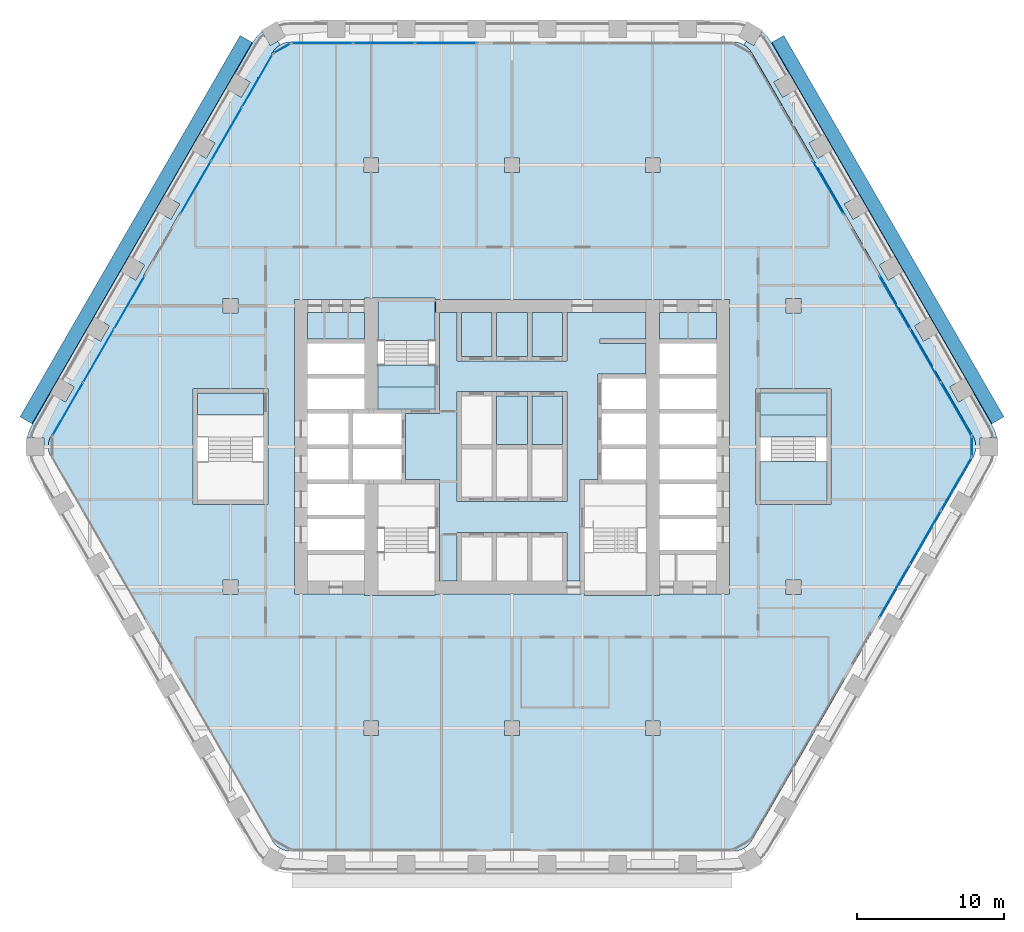
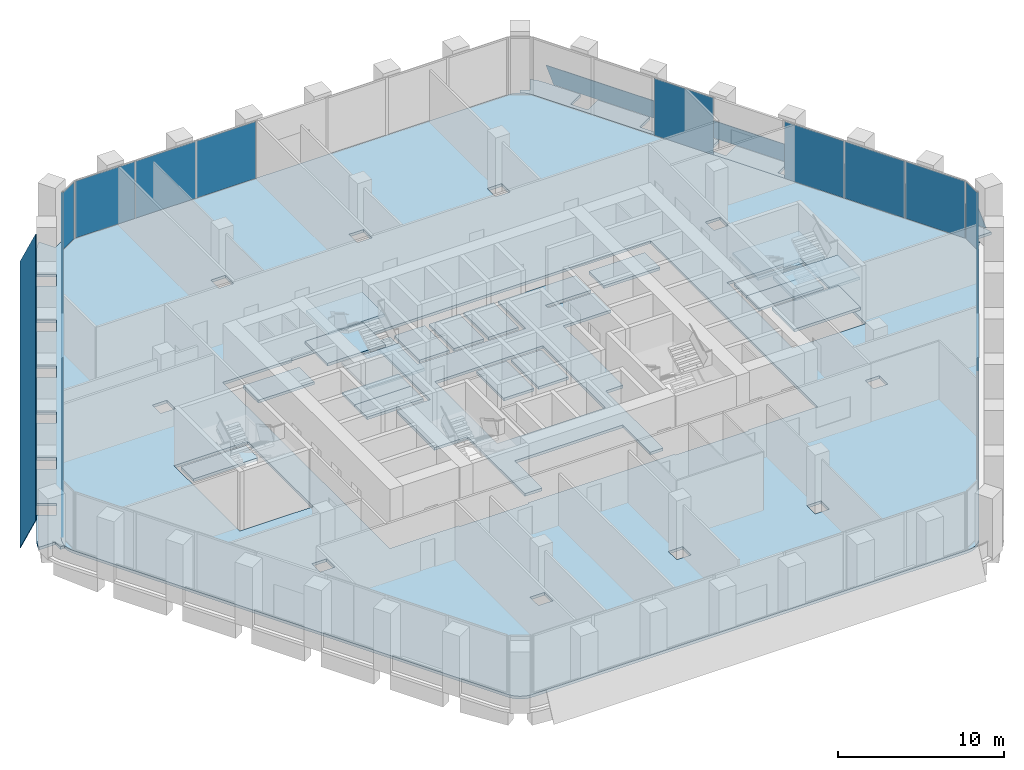
# One storey, part 11 of 22: 22 slabs, 20 plates, 10 elements without a shape of their own.
"""IFC4 building model written with IfcOpenShell, lengths in metres."""

from ifc_helpers import new_model, si_unit, direction, frame, origin, origin_2d, place, context, subcontext, project, spatial, polyline, rectangle, outline, extrude, material, layer, layer_set, type_object, element, aggregate, save


model = new_model("IFC4")

# Units and contexts
model_context = context("Model", 3, precision=1e-05, world=origin(), true_north=direction((0.0, 1.0)))
body_context = subcontext(model_context, "Body", "Model", "MODEL_VIEW")
ifc_project = project(units=[si_unit("LENGTHUNIT", "METRE"), si_unit("AREAUNIT", "SQUARE_METRE"), si_unit("VOLUMEUNIT", "CUBIC_METRE"), si_unit("PLANEANGLEUNIT", "RADIAN"), si_unit("MASSUNIT", "GRAM", prefix="KILO")], contexts=[model_context])

# Site, building, storey
site_placement = place(None, origin())
site = spatial("IfcSite", under=ifc_project, at=site_placement, CompositionType="ELEMENT")
building_placement = place(site_placement, origin())
building = spatial("IfcBuilding", under=site, at=building_placement, Name="Kolab Exchange Tower", CompositionType="ELEMENT")
storey_placement = place(building_placement, frame((0.0, 0.0, 82.39990234375)))
storey = spatial("IfcBuildingStorey", under=building, at=storey_placement, Name="L15", CompositionType="ELEMENT", Elevation=82.39990234375)

# Slabs
ifc_material_1 = material(Name="Concrete C35/45", Category="concrete")
ifc_layer_1 = layer(ifc_material_1, 0.199951171875)
ifc_layer_set_1 = layer_set([ifc_layer_1], Name="Concrete C35/45")
slab_type_1 = type_object("IfcSlabType", Name="FLOOR SLAB 200", PredefinedType="FLOOR", material=ifc_layer_set_1)
slab_1_placement = place(storey_placement, frame((0.0, 0.0, -0.199951171875)))
element("IfcSlab", 1, at=slab_1_placement, inside=storey, type_object=slab_type_1, Name="slab/L15/floor/0", PredefinedType="FLOOR", context=body_context, shape_type="SweptSolid", body=[
    extrude(outline(polyline([(16.366943359375, -26.848388671875), (31.434814453125, -0.75), (31.54541015625, -0.512939453125), (31.613037109375, -0.260498046875), (31.635986328125, 0.0), (31.613037109375, 0.260498046875), (31.54541015625, 0.512939453125), (31.434814453125, 0.75), (16.366943359375, 26.848388671875), (16.217041015625, 27.062744140625), (16.0322265625, 27.24755859375), (15.81787109375, 27.3974609375), (15.5810546875, 27.508056640625), (15.328369140625, 27.57568359375), (15.06787109375, 27.598388671875), (-15.06787109375, 27.598388671875), (-15.328369140625, 27.57568359375), (-15.5810546875, 27.508056640625), (-15.81787109375, 27.3974609375), (-16.0322265625, 27.24755859375), (-16.217041015625, 27.062744140625), (-16.366943359375, 26.848388671875), (-31.434814453125, 0.75), (-31.54541015625, 0.512939453125), (-31.613037109375, 0.260498046875), (-31.635986328125, 0.0), (-31.613037109375, -0.260498046875), (-31.54541015625, -0.512939453125), (-31.434814453125, -0.75), (-16.366943359375, -26.848388671875), (-16.217041015625, -27.062744140625), (-16.0322265625, -27.24755859375), (-15.81787109375, -27.3974609375), (-15.5810546875, -27.508056640625), (-15.328369140625, -27.57568359375), (-15.06787109375, -27.598388671875), (15.06787109375, -27.598388671875), (15.328369140625, -27.57568359375), (15.5810546875, -27.508056640625), (15.81787109375, -27.3974609375), (16.0322265625, -27.24755859375), (16.217041015625, -27.062744140625), (16.366943359375, -26.848388671875)]), holes=[polyline([(-13.949951171875, -10.050048828125), (-14.85009765625, -10.050048828125), (-14.85009765625, 10.050048828125), (-13.949951171875, 10.050048828125), (-10.050048828125, 10.050048828125), (-10.050048828125, 10.14990234375), (-9.14990234375, 10.14990234375), (-5.25, 10.14990234375), (-5.25, 10.050048828125), (9.14990234375, 10.050048828125), (10.050048828125, 10.050048828125), (13.949951171875, 10.050048828125), (14.85009765625, 10.050048828125), (14.85009765625, -10.050048828125), (13.949951171875, -10.050048828125), (10.050048828125, -10.050048828125), (10.050048828125, -10.14990234375), (9.14990234375, -10.14990234375), (4.949951171875, -10.14990234375), (4.949951171875, -10.050048828125), (-5.25, -10.050048828125), (-5.25, -10.14990234375), (-9.14990234375, -10.14990234375), (-10.050048828125, -10.14990234375), (-10.050048828125, -10.050048828125), (-13.949951171875, -10.050048828125)]), polyline([(-18.699951171875, -9.10009765625), (-18.699951171875, -10.10009765625), (-19.699951171875, -10.10009765625), (-19.699951171875, -9.10009765625), (-18.699951171875, -9.10009765625)]), polyline([(-21.449951171875, -3.949951171875), (-21.75, -3.949951171875), (-21.75, 3.949951171875), (-21.449951171875, 3.949951171875), (-16.949951171875, 3.949951171875), (-16.64990234375, 3.949951171875), (-16.64990234375, -3.949951171875), (-16.949951171875, -3.949951171875), (-21.449951171875, -3.949951171875)]), polyline([(-18.699951171875, 10.10009765625), (-18.699951171875, 9.10009765625), (-19.699951171875, 9.10009765625), (-19.699951171875, 10.10009765625), (-18.699951171875, 10.10009765625)]), polyline([(-9.10009765625, -18.699951171875), (-9.10009765625, -19.699951171875), (-10.10009765625, -19.699951171875), (-10.10009765625, -18.699951171875), (-9.10009765625, -18.699951171875)]), polyline([(-9.10009765625, 19.699951171875), (-9.10009765625, 18.699951171875), (-10.10009765625, 18.699951171875), (-10.10009765625, 19.699951171875), (-9.10009765625, 19.699951171875)]), polyline([(9.10009765625, -18.699951171875), (10.10009765625, -18.699951171875), (10.10009765625, -19.699951171875), (9.10009765625, -19.699951171875), (9.10009765625, -18.699951171875)]), polyline([(-0.5, -18.699951171875), (0.5, -18.699951171875), (0.5, -19.699951171875), (-0.5, -19.699951171875), (-0.5, -18.699951171875)]), polyline([(0.5, 19.699951171875), (0.5, 18.699951171875), (-0.5, 18.699951171875), (-0.5, 19.699951171875), (0.5, 19.699951171875)]), polyline([(10.10009765625, 19.699951171875), (10.10009765625, 18.699951171875), (9.10009765625, 18.699951171875), (9.10009765625, 19.699951171875), (10.10009765625, 19.699951171875)]), polyline([(19.699951171875, -9.10009765625), (19.699951171875, -10.10009765625), (18.699951171875, -10.10009765625), (18.699951171875, -9.10009765625), (19.699951171875, -9.10009765625)]), polyline([(21.449951171875, 3.949951171875), (21.75, 3.949951171875), (21.75, -3.949951171875), (21.449951171875, -3.949951171875), (16.949951171875, -3.949951171875), (16.64990234375, -3.949951171875), (16.64990234375, 3.949951171875), (16.949951171875, 3.949951171875), (21.449951171875, 3.949951171875)]), polyline([(19.699951171875, 10.10009765625), (19.699951171875, 9.10009765625), (18.699951171875, 9.10009765625), (18.699951171875, 10.10009765625), (19.699951171875, 10.10009765625)])]), origin(), (0.0, 0.0, 1.0), 0.199951171875),
])
slab_2_placement = place(storey_placement, frame((0.0, 0.0, -0.199951171875)))
element("IfcSlab", 2, at=slab_2_placement, inside=storey, type_object=slab_type_1, Name="slab/L15/floor/1", PredefinedType="FLOOR", context=body_context, shape_type="SweptSolid", body=[
    extrude(outline(polyline([(-4.949951171875, 9.14990234375), (-4.949951171875, 2.25), (-5.25, 2.25), (-7.25, 2.25), (-7.25, -2.25), (-5.25, -2.25), (-4.949951171875, -2.25), (-4.949951171875, -9.14990234375), (-3.75, -9.14990234375), (-3.75, -5.85009765625), (-3.449951171875, -5.85009765625), (-1.35009765625, -5.85009765625), (-1.050048828125, -5.85009765625), (1.050048828125, -5.85009765625), (1.35009765625, -5.85009765625), (3.449951171875, -5.85009765625), (3.75, -5.85009765625), (3.75, -9.14990234375), (4.64990234375, -9.14990234375), (4.64990234375, -2.25), (4.949951171875, -2.25), (5.85009765625, -2.25), (5.85009765625, 4.949951171875), (6.14990234375, 4.949951171875), (9.14990234375, 4.949951171875), (9.14990234375, 7.050048828125), (6.0, 7.050048828125), (6.0, 7.35009765625), (9.14990234375, 7.35009765625), (9.14990234375, 9.14990234375), (3.75, 9.14990234375), (3.75, 5.85009765625), (3.449951171875, 5.85009765625), (1.35009765625, 5.85009765625), (1.050048828125, 5.85009765625), (-1.050048828125, 5.85009765625), (-1.35009765625, 5.85009765625), (-3.449951171875, 5.85009765625), (-3.75, 5.85009765625), (-3.75, 9.14990234375), (-4.949951171875, 9.14990234375)]), holes=[polyline([(-3.75, -3.75), (-3.75, 3.75), (-3.449951171875, 3.75), (-1.35009765625, 3.75), (-1.050048828125, 3.75), (1.050048828125, 3.75), (1.35009765625, 3.75), (3.449951171875, 3.75), (3.75, 3.75), (3.75, -3.75), (3.449951171875, -3.75), (1.35009765625, -3.75), (1.050048828125, -3.75), (-1.050048828125, -3.75), (-1.35009765625, -3.75), (-3.449951171875, -3.75), (-3.75, -3.75)])]), origin(), (0.0, 0.0, 1.0), 0.199951171875),
])
slab_3_placement = place(storey_placement, frame((0.0, 0.0, -0.199951171875)))
element("IfcSlab", 3, at=slab_3_placement, inside=storey, type_object=slab_type_1, Name="slab/L15/floor/3", PredefinedType="FLOOR", context=body_context, shape_type="SweptSolid", body=[
    extrude(outline(polyline([(-10.050048828125, 9.14990234375), (-13.949951171875, 9.14990234375), (-13.949951171875, 7.35009765625), (-10.050048828125, 7.35009765625), (-10.050048828125, 9.14990234375)])), origin(), (0.0, 0.0, 1.0), 0.199951171875),
])
slab_4_placement = place(storey_placement, frame((0.0, 0.0, -0.199951171875)))
element("IfcSlab", 4, at=slab_4_placement, inside=storey, type_object=slab_type_1, Name="slab/L15/floor/5", PredefinedType="FLOOR", context=body_context, shape_type="SweptSolid", body=[
    extrude(outline(polyline([(13.949951171875, 9.14990234375), (10.050048828125, 9.14990234375), (10.050048828125, 7.35009765625), (13.949951171875, 7.35009765625), (13.949951171875, 9.14990234375)])), origin(), (0.0, 0.0, 1.0), 0.199951171875),
])
slab_5_placement = place(storey_placement, frame((0.0, 0.0, -0.199951171875)))
element("IfcSlab", 5, at=slab_5_placement, inside=storey, type_object=slab_type_1, Name="slab/L15/floor/9", PredefinedType="FLOOR", context=body_context, shape_type="SweptSolid", body=[
    extrude(outline(polyline([(-1.050048828125, 3.449951171875), (-1.050048828125, 0.14990234375), (1.050048828125, 0.14990234375), (1.050048828125, 3.449951171875), (-1.050048828125, 3.449951171875)])), origin(), (0.0, 0.0, 1.0), 0.199951171875),
])
slab_6_placement = place(storey_placement, frame((0.0, 0.0, -0.199951171875)))
element("IfcSlab", 6, at=slab_6_placement, inside=storey, type_object=slab_type_1, Name="slab/L15/floor/11", PredefinedType="FLOOR", context=body_context, shape_type="SweptSolid", body=[
    extrude(outline(polyline([(1.35009765625, 0.14990234375), (3.449951171875, 0.14990234375), (3.449951171875, 3.449951171875), (1.35009765625, 3.449951171875), (1.35009765625, 0.14990234375)])), origin(), (0.0, 0.0, 1.0), 0.199951171875),
])
slab_7_placement = place(storey_placement, frame((0.0, 0.0, -0.199951171875)))
element("IfcSlab", 7, at=slab_7_placement, inside=storey, type_object=slab_type_1, Name="slab/L15/floor/12", PredefinedType="FLOOR", context=body_context, shape_type="SweptSolid", body=[
    extrude(outline(polyline([(-21.449951171875, 3.64990234375), (-21.449951171875, 2.14990234375), (-16.949951171875, 2.14990234375), (-16.949951171875, 3.64990234375), (-21.449951171875, 3.64990234375)])), origin(), (0.0, 0.0, 1.0), 0.199951171875),
])
slab_8_placement = place(storey_placement, frame((0.0, 0.0, -0.199951171875)))
element("IfcSlab", 8, at=slab_8_placement, inside=storey, type_object=slab_type_1, Name="slab/L15/floor/13", PredefinedType="FLOOR", context=body_context, shape_type="SweptSolid", body=[
    extrude(outline(polyline([(21.449951171875, 3.64990234375), (16.949951171875, 3.64990234375), (16.949951171875, 2.14990234375), (21.449951171875, 2.14990234375), (21.449951171875, 3.64990234375)])), origin(), (0.0, 0.0, 1.0), 0.199951171875),
])
slab_9_placement = place(storey_placement, frame((0.0, 0.0, -0.199951171875)))
element("IfcSlab", 9, at=slab_9_placement, inside=storey, type_object=slab_type_1, Name="slab/L15/floor/15", PredefinedType="FLOOR", context=body_context, shape_type="SweptSolid", body=[
    extrude(outline(polyline([(-1.35009765625, 6.14990234375), (-1.35009765625, 9.14990234375), (-3.449951171875, 9.14990234375), (-3.449951171875, 6.14990234375), (-1.35009765625, 6.14990234375)])), origin(), (0.0, 0.0, 1.0), 0.199951171875),
])
slab_10_placement = place(storey_placement, frame((0.0, 0.0, -0.199951171875)))
element("IfcSlab", 10, at=slab_10_placement, inside=storey, type_object=slab_type_1, Name="slab/L15/floor/17", PredefinedType="FLOOR", context=body_context, shape_type="SweptSolid", body=[
    extrude(outline(polyline([(-1.050048828125, 9.14990234375), (-1.050048828125, 6.14990234375), (1.050048828125, 6.14990234375), (1.050048828125, 9.14990234375), (-1.050048828125, 9.14990234375)])), origin(), (0.0, 0.0, 1.0), 0.199951171875),
])
slab_11_placement = place(storey_placement, frame((0.0, 0.0, -0.199951171875)))
element("IfcSlab", 11, at=slab_11_placement, inside=storey, type_object=slab_type_1, Name="slab/L15/floor/19", PredefinedType="FLOOR", context=body_context, shape_type="SweptSolid", body=[
    extrude(outline(polyline([(1.35009765625, 6.14990234375), (3.449951171875, 6.14990234375), (3.449951171875, 9.14990234375), (1.35009765625, 9.14990234375), (1.35009765625, 6.14990234375)])), origin(), (0.0, 0.0, 1.0), 0.199951171875),
])
slab_12_placement = place(storey_placement, frame((0.0, 0.0, -0.199951171875)))
element("IfcSlab", 12, at=slab_12_placement, inside=storey, type_object=slab_type_1, Name="slab/L15/floor/22", PredefinedType="FLOOR", context=body_context, shape_type="SweptSolid", body=[
    extrude(outline(polyline([(-5.25, 4.050048828125), (-9.14990234375, 4.050048828125), (-9.14990234375, 2.550048828125), (-7.550048828125, 2.550048828125), (-7.25, 2.550048828125), (-5.25, 2.550048828125), (-5.25, 4.050048828125)])), origin(), (0.0, 0.0, 1.0), 0.199951171875),
])
ifc_layer_2 = layer(ifc_material_1, 0.199951171875)
ifc_layer_set_2 = layer_set([ifc_layer_2], Name="Concrete C35/45")
slab_type_2 = type_object("IfcSlabType", Name="LOGGIA SLAB 200", PredefinedType="FLOOR", material=ifc_layer_set_2)
slab_13_placement = place(storey_placement, frame((0.0, 0.0, -0.199951171875)))
element("IfcSlab", 13, at=slab_13_placement, inside=storey, type_object=slab_type_2, Name="slab/L15/loggia/1-0", PredefinedType="FLOOR", context=body_context, shape_type="SweptSolid", body=[
    extrude(outline(polyline([(31.635986328125, 0.0), (31.935791015625, 0.0), (31.935791015625, 0.60009765625), (33.069091796875, 0.60009765625), (32.955078125, 1.026123046875), (32.73388671875, 1.5), (31.5, 3.63720703125), (30.460693359375, 3.037353515625), (29.86083984375, 4.076416015625), (30.89990234375, 4.676513671875), (29.10009765625, 7.794189453125), (28.060791015625, 7.1943359375), (27.460693359375, 8.2333984375), (28.5, 8.83349609375), (26.699951171875, 11.951171875), (25.660888671875, 11.35107421875), (25.060791015625, 12.390380859375), (26.10009765625, 12.990478515625), (24.300048828125, 16.108154296875), (23.2607421875, 15.508056640625), (22.660888671875, 16.54736328125), (23.699951171875, 17.147216796875), (21.89990234375, 20.264892578125), (20.86083984375, 19.6650390625), (20.2607421875, 20.704345703125), (21.300048828125, 21.30419921875), (19.5, 24.421875), (18.460693359375, 23.822021484375), (17.86083984375, 24.861083984375), (18.89990234375, 25.461181640625), (17.666015625, 27.598388671875), (17.365966796875, 28.02685546875), (17.05419921875, 28.338623046875), (16.487548828125, 27.357177734375), (15.968017578125, 27.6572265625), (15.81787109375, 27.3974609375), (16.0322265625, 27.24755859375), (16.217041015625, 27.062744140625), (16.366943359375, 26.848388671875), (31.434814453125, 0.75), (31.54541015625, 0.512939453125), (31.613037109375, 0.260498046875), (31.635986328125, 0.0)])), origin(), (0.0, 0.0, 1.0), 0.199951171875),
])
slab_14_placement = place(storey_placement, frame((0.0, 0.0, -0.199951171875)))
element("IfcSlab", 14, at=slab_14_placement, inside=storey, type_object=slab_type_2, Name="slab/L15/loggia/5-0", PredefinedType="FLOOR", context=body_context, shape_type="SweptSolid", body=[
    extrude(outline(polyline([(-15.81787109375, 27.3974609375), (-15.968017578125, 27.6572265625), (-16.487548828125, 27.357177734375), (-17.05419921875, 28.338623046875), (-17.365966796875, 28.02685546875), (-17.666015625, 27.598388671875), (-18.89990234375, 25.461181640625), (-17.86083984375, 24.861083984375), (-18.460693359375, 23.822021484375), (-19.5, 24.421875), (-21.300048828125, 21.30419921875), (-20.2607421875, 20.704345703125), (-20.86083984375, 19.6650390625), (-21.89990234375, 20.264892578125), (-23.699951171875, 17.147216796875), (-22.660888671875, 16.54736328125), (-23.2607421875, 15.508056640625), (-24.300048828125, 16.108154296875), (-26.10009765625, 12.990478515625), (-25.060791015625, 12.390380859375), (-25.660888671875, 11.35107421875), (-26.699951171875, 11.951171875), (-28.5, 8.83349609375), (-27.460693359375, 8.2333984375), (-28.060791015625, 7.1943359375), (-29.10009765625, 7.794189453125), (-30.89990234375, 4.676513671875), (-29.86083984375, 4.076416015625), (-30.460693359375, 3.037353515625), (-31.5, 3.63720703125), (-32.73388671875, 1.5), (-32.955078125, 1.026123046875), (-33.069091796875, 0.60009765625), (-31.935791015625, 0.60009765625), (-31.935791015625, 0.0), (-31.635986328125, 0.0), (-31.613037109375, 0.260498046875), (-31.54541015625, 0.512939453125), (-31.434814453125, 0.75), (-16.366943359375, 26.848388671875), (-16.217041015625, 27.062744140625), (-16.0322265625, 27.24755859375), (-15.81787109375, 27.3974609375)])), origin(), (0.0, 0.0, 1.0), 0.199951171875),
])

# Plates
ifc_material_2 = material(Name="Laminated glass, clear", Category="glass")
ifc_layer_3 = layer(ifc_material_2, 0.0400390625)
ifc_layer_set_3 = layer_set([ifc_layer_3], Name="Laminated glass, clear")
plate_type_1 = type_object("IfcPlateType", Name="OUTER SKIN LAMINATED GLASS SHEET 40", PredefinedType="SHEET", material=ifc_layer_set_3)
plate_1_placement = place(storey_placement, frame((18.540283203125, 28.04541015625, -0.73291015625), z_axis=(0.78488749746, 0.453155039209, 0.422613448403), x_axis=(0.499999167166, -0.866025884618, 2.126414e-06)))
element("IfcPlate", 15, at=plate_1_placement, inside=storey, type_object=plate_type_1, Name="Outer skin", PredefinedType="SHEET", context=body_context, shape_type="SweptSolid", body=[
    extrude(outline(polyline([(0.0, 0.0), (30.035931798469555, 0.0), (30.035821559359643, -2.2341565300489714), (-2.087711834573829e-05, -2.2342974723957343), (0.0, 0.0)])), origin(), (0.0, 0.0, -1.0), 0.0400390625),
])
plate_2_placement = place(storey_placement, frame((-33.55810546875, 2.033447265625, -0.73291015625), z_axis=(-0.78488749746, 0.453155039209, 0.422613448403), x_axis=(0.499999167166, 0.866025884618, -2.126414e-06)))
element("IfcPlate", 16, at=plate_2_placement, inside=storey, type_object=plate_type_1, Name="Outer skin", PredefinedType="SHEET", context=body_context, shape_type="SweptSolid", body=[
    extrude(outline(polyline([(0.0, 0.0), (30.035931798469555, 0.0), (30.035952675587897, -2.234297472395734), (0.00011023910991124468, -2.234156530048972), (0.0, 0.0)])), origin(), (0.0, 0.0, -1.0), 0.0400390625),
])

# Stair, slabs
ifc_material_3 = material(Name="Concrete C50/60", Category="concrete")
stair_type_1 = type_object("IfcStairType", Name="STAIR ST1 RISER 160.7", PredefinedType="DOUBLE_RETURN_STAIR", material=ifc_material_3)
stair_1_placement = place(storey_placement, origin())
stair_1 = element("IfcStair", 17, at=stair_1_placement, inside=storey, type_object=stair_type_1, Name="Stair 1", PredefinedType="DOUBLE_RETURN_STAIR")
ifc_layer_4 = layer(ifc_material_3, 0.199951171875)
ifc_layer_set_4 = layer_set([ifc_layer_4], Name="Concrete C50/60")
slab_type_3 = type_object("IfcSlabType", Name="STAIR LANDING 200", PredefinedType="LANDING", material=ifc_layer_set_4)
slab_15_placement = place(storey_placement, frame((0.0, 0.0, -0.199951171875)))
slab_15 = element("IfcSlab", 18, at=slab_15_placement, type_object=slab_type_3, Name="ST1 landing 1", PredefinedType="LANDING", context=body_context, shape_type="SweptSolid", body=[
    extrude(outline(polyline([(-9.14990234375, 4.050048828125), (-5.25, 4.050048828125), (-5.25, 5.550048828125), (-9.14990234375, 5.550048828125), (-9.14990234375, 4.050048828125)])), origin(), (0.0, 0.0, 1.0), 0.199951171875),
])
slab_16_placement = place(storey_placement, frame((0.0, 0.0, 0.925048828125)))
slab_16 = element("IfcSlab", 19, at=slab_16_placement, type_object=slab_type_3, Name="ST1 landing 2", PredefinedType="LANDING", context=body_context, shape_type="SweptSolid", body=[
    extrude(outline(polyline([(-9.2099609375, 7.22998046875), (-5.18994140625, 7.22998046875), (-5.18994140625, 9.909912109375), (-9.2099609375, 9.909912109375), (-9.2099609375, 7.22998046875)])), origin(), (0.0, 0.0, 1.0), 0.199951171875),
])
slab_17_placement = place(storey_placement, frame((0.0, 0.0, 2.050048828125)))
slab_17 = element("IfcSlab", 20, at=slab_17_placement, type_object=slab_type_3, Name="ST1 landing 3", PredefinedType="LANDING", context=body_context, shape_type="SweptSolid", body=[
    extrude(outline(polyline([(-9.2099609375, 2.489990234375), (-5.18994140625, 2.489990234375), (-5.18994140625, 5.550048828125), (-9.2099609375, 5.550048828125), (-9.2099609375, 2.489990234375)])), origin(), (0.0, 0.0, 1.0), 0.199951171875),
])
slab_18_placement = place(storey_placement, frame((0.0, 0.0, 3.175048828125)))
slab_18 = element("IfcSlab", 21, at=slab_18_placement, type_object=slab_type_3, Name="ST1 landing 4", PredefinedType="LANDING", context=body_context, shape_type="SweptSolid", body=[
    extrude(outline(polyline([(-9.14990234375, 7.22998046875), (-5.25, 7.22998046875), (-5.25, 9.909912109375), (-9.14990234375, 9.909912109375), (-9.14990234375, 7.22998046875)])), origin(), (0.0, 0.0, 1.0), 0.199951171875),
])
aggregate(stair_1, [slab_15, slab_16, slab_17, slab_18])

stair_type_2 = type_object("IfcStairType", Name="STAIR ST4 RISER 160.7", PredefinedType="DOUBLE_RETURN_STAIR", material=ifc_material_3)
stair_2_placement = place(storey_placement, origin())
stair_2 = element("IfcStair", 22, at=stair_2_placement, inside=storey, type_object=stair_type_2, Name="Stair 4", PredefinedType="DOUBLE_RETURN_STAIR")
slab_19_placement = place(storey_placement, frame((0.0, 0.0, -0.199951171875)))
slab_19 = element("IfcSlab", 23, at=slab_19_placement, type_object=slab_type_3, Name="ST4 landing 1", PredefinedType="LANDING", context=body_context, shape_type="SweptSolid", body=[
    extrude(outline(polyline([(16.949951171875, 0.64990234375), (21.449951171875, 0.64990234375), (21.449951171875, 2.14990234375), (16.949951171875, 2.14990234375), (16.949951171875, 0.64990234375)])), origin(), (0.0, 0.0, 1.0), 0.199951171875),
])
slab_20_placement = place(storey_placement, frame((0.0, 0.0, 0.925048828125)))
slab_20 = element("IfcSlab", 24, at=slab_20_placement, type_object=slab_type_3, Name="ST4 landing 2", PredefinedType="LANDING", context=body_context, shape_type="SweptSolid", body=[
    extrude(outline(polyline([(16.889892578125, -3.7099609375), (21.510009765625, -3.7099609375), (21.510009765625, -1.030029296875), (16.889892578125, -1.030029296875), (16.889892578125, -3.7099609375)])), origin(), (0.0, 0.0, 1.0), 0.199951171875),
])
slab_21_placement = place(storey_placement, frame((0.0, 0.0, 2.050048828125)))
slab_21 = element("IfcSlab", 25, at=slab_21_placement, type_object=slab_type_3, Name="ST4 landing 3", PredefinedType="LANDING", context=body_context, shape_type="SweptSolid", body=[
    extrude(outline(polyline([(16.889892578125, 0.64990234375), (21.510009765625, 0.64990234375), (21.510009765625, 3.7099609375), (16.889892578125, 3.7099609375), (16.889892578125, 0.64990234375)])), origin(), (0.0, 0.0, 1.0), 0.199951171875),
])
slab_22_placement = place(storey_placement, frame((0.0, 0.0, 3.175048828125)))
slab_22 = element("IfcSlab", 26, at=slab_22_placement, type_object=slab_type_3, Name="ST4 landing 4", PredefinedType="LANDING", context=body_context, shape_type="SweptSolid", body=[
    extrude(outline(polyline([(16.949951171875, -3.7099609375), (21.449951171875, -3.7099609375), (21.449951171875, -1.030029296875), (16.949951171875, -1.030029296875), (16.949951171875, -3.7099609375)])), origin(), (0.0, 0.0, 1.0), 0.199951171875),
])
aggregate(stair_2, [slab_19, slab_20, slab_21, slab_22])

# Curtain wall, plates
ifc_material_4 = material(Name="Aluminium EN AW-6063 T6", Category="aluminium")
curtain_wall_type = type_object("IfcCurtainWallType", Name="UNITISED LOWER MID ZONE CURTAIN WALL", PredefinedType="NOTDEFINED", material=ifc_material_4)
curtain_wall_1_placement = place(storey_placement, origin())
curtain_wall_1 = element("IfcCurtainWall", 27, at=curtain_wall_1_placement, inside=storey, type_object=curtain_wall_type, Name="cw/L15/F1-1", PredefinedType="NOTDEFINED")
ifc_material_5 = material(Name="Clear insulated glazing unit", Category="glass")
ifc_layer_5 = layer(ifc_material_5, 0.02587890625)
ifc_layer_set_5 = layer_set([ifc_layer_5], Name="Clear insulated glazing unit")
plate_type_2 = type_object("IfcPlateType", Name="UNITISED LOWER MID ZONE GLASS PANEL 26", PredefinedType="CURTAIN_PANEL", material=ifc_layer_set_5)
plate_3_placement = place(storey_placement, frame((-12.941650390625, 27.5185546875, 0.06005859375), z_axis=(0.0, 0.0, 1.0), x_axis=(1.0, 0.0, 0.0)))
plate_3 = element("IfcPlate", 28, at=plate_3_placement, type_object=plate_type_2, Name="CW2 panel 1.1", PredefinedType="CURTAIN_PANEL", context=body_context, shape_type="SweptSolid", body=[
    extrude(rectangle(XDim=4.132568359375, YDim=0.02587890625, at=origin_2d()), origin(), (0.0, 0.0, 1.0), 4.179931640625),
])
plate_4_placement = place(storey_placement, frame((-8.73388671875, 27.5185546875, 0.06005859375), z_axis=(0.0, 0.0, 1.0), x_axis=(1.0, 0.0, 0.0)))
plate_4 = element("IfcPlate", 29, at=plate_4_placement, type_object=plate_type_2, Name="CW2 panel 2.1", PredefinedType="CURTAIN_PANEL", context=body_context, shape_type="SweptSolid", body=[
    extrude(rectangle(XDim=4.16259765625, YDim=0.02587890625, at=origin_2d()), origin(), (0.0, 0.0, 1.0), 4.179931640625),
])
plate_5_placement = place(storey_placement, frame((-4.5263671875, 27.5185546875, 0.06005859375), z_axis=(0.0, 0.0, 1.0), x_axis=(1.0, 0.0, 0.0)))
plate_5 = element("IfcPlate", 30, at=plate_5_placement, type_object=plate_type_2, Name="CW2 panel 3.1", PredefinedType="CURTAIN_PANEL", context=body_context, shape_type="SweptSolid", body=[
    extrude(rectangle(XDim=4.132568359375, YDim=0.02587890625, at=origin_2d()), origin(), (0.0, 0.0, 1.0), 4.179931640625),
])
aggregate(curtain_wall_1, [plate_3, plate_4, plate_5])

# Curtain wall, plate
curtain_wall_2_placement = place(storey_placement, origin())
curtain_wall_2 = element("IfcCurtainWall", 31, at=curtain_wall_2_placement, inside=storey, type_object=curtain_wall_type, Name="cw/L15/F2-1", PredefinedType="NOTDEFINED")
plate_6_placement = place(storey_placement, frame((21.568603515625, 17.67919921875, 0.06005859375), z_axis=(0.0, 0.0, 1.0), x_axis=(0.500000017564, -0.866025393644, 0.0)))
plate_6 = element("IfcPlate", 32, at=plate_6_placement, type_object=plate_type_2, Name="CW2 panel 3.1", PredefinedType="CURTAIN_PANEL", context=body_context, shape_type="SweptSolid", body=[
    extrude(rectangle(XDim=4.132568359375, YDim=0.02587890625, at=origin_2d()), origin(), (0.0, 0.0, 1.0), 4.179931640625),
])
aggregate(curtain_wall_2, [plate_6])

# Curtain wall, plates
curtain_wall_3_placement = place(storey_placement, origin())
curtain_wall_3 = element("IfcCurtainWall", 33, at=curtain_wall_3_placement, inside=storey, type_object=curtain_wall_type, Name="cw/L15/F2-2", PredefinedType="NOTDEFINED")
plate_7_placement = place(storey_placement, frame((26.0947265625, 9.83935546875, 0.06005859375), z_axis=(0.0, 0.0, 1.0), x_axis=(0.499999958358, -0.866025427826, 0.0)))
plate_7 = element("IfcPlate", 34, at=plate_7_placement, type_object=plate_type_2, Name="CW2 panel 1.1", PredefinedType="CURTAIN_PANEL", context=body_context, shape_type="SweptSolid", body=[
    extrude(rectangle(XDim=4.132568359375, YDim=0.02587890625, at=origin_2d()), origin(), (0.0, 0.0, 1.0), 4.179931640625),
])
plate_8_placement = place(storey_placement, frame((28.19873046875, 6.1953125, 0.06005859375), z_axis=(0.0, 0.0, 1.0), x_axis=(0.499999958358, -0.866025427826, 0.0)))
plate_8 = element("IfcPlate", 35, at=plate_8_placement, type_object=plate_type_2, Name="CW2 panel 2.1", PredefinedType="CURTAIN_PANEL", context=body_context, shape_type="SweptSolid", body=[
    extrude(rectangle(XDim=4.16259765625, YDim=0.02587890625, at=origin_2d()), origin(), (0.0, 0.0, 1.0), 4.179931640625),
])
plate_9_placement = place(storey_placement, frame((30.302490234375, 2.551513671875, 0.06005859375), z_axis=(0.0, 0.0, 1.0), x_axis=(0.499999958358, -0.866025427826, 0.0)))
plate_9 = element("IfcPlate", 36, at=plate_9_placement, type_object=plate_type_2, Name="CW2 panel 3.1", PredefinedType="CURTAIN_PANEL", context=body_context, shape_type="SweptSolid", body=[
    extrude(rectangle(XDim=4.132568359375, YDim=0.02587890625, at=origin_2d()), origin(), (0.0, 0.0, 1.0), 4.179931640625),
])
aggregate(curtain_wall_3, [plate_7, plate_8, plate_9])

curtain_wall_4_placement = place(storey_placement, origin())
curtain_wall_4 = element("IfcCurtainWall", 37, at=curtain_wall_4_placement, inside=storey, type_object=curtain_wall_type, Name="cw/L15/F3-1", PredefinedType="NOTDEFINED")
plate_10_placement = place(storey_placement, frame((30.302490234375, -2.551513671875, 0.06005859375), z_axis=(0.0, 0.0, 1.0), x_axis=(-0.499999958358, -0.866025427826, 0.0)))
plate_10 = element("IfcPlate", 38, at=plate_10_placement, type_object=plate_type_2, Name="CW2 panel 1.1", PredefinedType="CURTAIN_PANEL", context=body_context, shape_type="SweptSolid", body=[
    extrude(rectangle(XDim=4.132568359375, YDim=0.02587890625, at=origin_2d()), origin(), (0.0, 0.0, 1.0), 4.179931640625),
])
plate_11_placement = place(storey_placement, frame((28.19873046875, -6.1953125, 0.06005859375), z_axis=(0.0, 0.0, 1.0), x_axis=(-0.499999958358, -0.866025427826, 0.0)))
plate_11 = element("IfcPlate", 39, at=plate_11_placement, type_object=plate_type_2, Name="CW2 panel 2.1", PredefinedType="CURTAIN_PANEL", context=body_context, shape_type="SweptSolid", body=[
    extrude(rectangle(XDim=4.16259765625, YDim=0.02587890625, at=origin_2d()), origin(), (0.0, 0.0, 1.0), 4.179931640625),
])
plate_12_placement = place(storey_placement, frame((26.0947265625, -9.83935546875, 0.06005859375), z_axis=(0.0, 0.0, 1.0), x_axis=(-0.499999958358, -0.866025427826, 0.0)))
plate_12 = element("IfcPlate", 40, at=plate_12_placement, type_object=plate_type_2, Name="CW2 panel 3.1", PredefinedType="CURTAIN_PANEL", context=body_context, shape_type="SweptSolid", body=[
    extrude(rectangle(XDim=4.132568359375, YDim=0.02587890625, at=origin_2d()), origin(), (0.0, 0.0, 1.0), 4.179931640625),
])
aggregate(curtain_wall_4, [plate_10, plate_11, plate_12])

curtain_wall_5_placement = place(storey_placement, origin())
curtain_wall_5 = element("IfcCurtainWall", 41, at=curtain_wall_5_placement, inside=storey, type_object=curtain_wall_type, Name="cw/L15/F6-1", PredefinedType="NOTDEFINED")
plate_13_placement = place(storey_placement, frame((-30.302490234375, 2.551513671875, 0.06005859375), z_axis=(0.0, 0.0, 1.0), x_axis=(0.499999958358, 0.866025427826, 0.0)))
plate_13 = element("IfcPlate", 42, at=plate_13_placement, type_object=plate_type_2, Name="CW2 panel 1.1", PredefinedType="CURTAIN_PANEL", context=body_context, shape_type="SweptSolid", body=[
    extrude(rectangle(XDim=4.132568359375, YDim=0.02587890625, at=origin_2d()), origin(), (0.0, 0.0, 1.0), 4.179931640625),
])
plate_14_placement = place(storey_placement, frame((-28.19873046875, 6.1953125, 0.06005859375), z_axis=(0.0, 0.0, 1.0), x_axis=(0.499999958358, 0.866025427826, 0.0)))
plate_14 = element("IfcPlate", 43, at=plate_14_placement, type_object=plate_type_2, Name="CW2 panel 2.1", PredefinedType="CURTAIN_PANEL", context=body_context, shape_type="SweptSolid", body=[
    extrude(rectangle(XDim=4.16259765625, YDim=0.02587890625, at=origin_2d()), origin(), (0.0, 0.0, 1.0), 4.179931640625),
])
plate_15_placement = place(storey_placement, frame((-26.0947265625, 9.83935546875, 0.06005859375), z_axis=(0.0, 0.0, 1.0), x_axis=(0.499999958358, 0.866025427826, 0.0)))
plate_15 = element("IfcPlate", 44, at=plate_15_placement, type_object=plate_type_2, Name="CW2 panel 3.1", PredefinedType="CURTAIN_PANEL", context=body_context, shape_type="SweptSolid", body=[
    extrude(rectangle(XDim=4.132568359375, YDim=0.02587890625, at=origin_2d()), origin(), (0.0, 0.0, 1.0), 4.179931640625),
])
aggregate(curtain_wall_5, [plate_13, plate_14, plate_15])

curtain_wall_6_placement = place(storey_placement, origin())
curtain_wall_6 = element("IfcCurtainWall", 45, at=curtain_wall_6_placement, inside=storey, type_object=curtain_wall_type, Name="cw/L15/F6-2", PredefinedType="NOTDEFINED")
plate_16_placement = place(storey_placement, frame((-21.568603515625, 17.67919921875, 0.06005859375), z_axis=(0.0, 0.0, 1.0), x_axis=(0.500000017564, 0.866025393644, 0.0)))
plate_16 = element("IfcPlate", 46, at=plate_16_placement, type_object=plate_type_2, Name="CW2 panel 1.1", PredefinedType="CURTAIN_PANEL", context=body_context, shape_type="SweptSolid", body=[
    extrude(rectangle(XDim=4.132568359375, YDim=0.02587890625, at=origin_2d()), origin(), (0.0, 0.0, 1.0), 4.179931640625),
])
plate_17_placement = place(storey_placement, frame((-19.464599609375, 21.322998046875, 0.06005859375), z_axis=(0.0, 0.0, 1.0), x_axis=(0.500000017564, 0.866025393644, 0.0)))
plate_17 = element("IfcPlate", 47, at=plate_17_placement, type_object=plate_type_2, Name="CW2 panel 2.1", PredefinedType="CURTAIN_PANEL", context=body_context, shape_type="SweptSolid", body=[
    extrude(rectangle(XDim=4.16259765625, YDim=0.02587890625, at=origin_2d()), origin(), (0.0, 0.0, 1.0), 4.179931640625),
])
plate_18_placement = place(storey_placement, frame((-17.36083984375, 24.967041015625, 0.06005859375), z_axis=(0.0, 0.0, 1.0), x_axis=(0.500000017564, 0.866025393644, 0.0)))
plate_18 = element("IfcPlate", 48, at=plate_18_placement, type_object=plate_type_2, Name="CW2 panel 3.1", PredefinedType="CURTAIN_PANEL", context=body_context, shape_type="SweptSolid", body=[
    extrude(rectangle(XDim=4.132568359375, YDim=0.02587890625, at=origin_2d()), origin(), (0.0, 0.0, 1.0), 4.179931640625),
])
aggregate(curtain_wall_6, [plate_16, plate_17, plate_18])

# Curtain wall, plate
curtain_wall_7_placement = place(storey_placement, origin())
curtain_wall_7 = element("IfcCurtainWall", 49, at=curtain_wall_7_placement, inside=storey, type_object=curtain_wall_type, Name="cw/L15/F2F3-corner", PredefinedType="NOTDEFINED")
plate_19_placement = place(storey_placement, frame((31.36572265625, 0.0, 0.06005859375), z_axis=(0.0, 0.0, 1.0), x_axis=(0.0, -1.0, 0.0)))
plate_19 = element("IfcPlate", 50, at=plate_19_placement, type_object=plate_type_2, Name="CW2 panel 1.1", PredefinedType="CURTAIN_PANEL", context=body_context, shape_type="SweptSolid", body=[
    extrude(rectangle(XDim=1.300048828125, YDim=0.02587890625, at=origin_2d()), origin(), (0.0, 0.0, 1.0), 4.179931640625),
])
aggregate(curtain_wall_7, [plate_19])

curtain_wall_8_placement = place(storey_placement, origin())
curtain_wall_8 = element("IfcCurtainWall", 51, at=curtain_wall_8_placement, inside=storey, type_object=curtain_wall_type, Name="cw/L15/F6F1-corner", PredefinedType="NOTDEFINED")
plate_20_placement = place(storey_placement, frame((-15.682861328125, 27.16357421875, 0.06005859375), z_axis=(0.0, 0.0, 1.0), x_axis=(0.866025390869, 0.50000002237, 0.0)))
plate_20 = element("IfcPlate", 52, at=plate_20_placement, type_object=plate_type_2, Name="CW2 panel 1.1", PredefinedType="CURTAIN_PANEL", context=body_context, shape_type="SweptSolid", body=[
    extrude(rectangle(XDim=1.300048828125, YDim=0.02587890625, at=origin_2d()), origin(), (0.0, 0.0, 1.0), 4.179931640625),
])
aggregate(curtain_wall_8, [plate_20])

save(model, "model.ifc")
